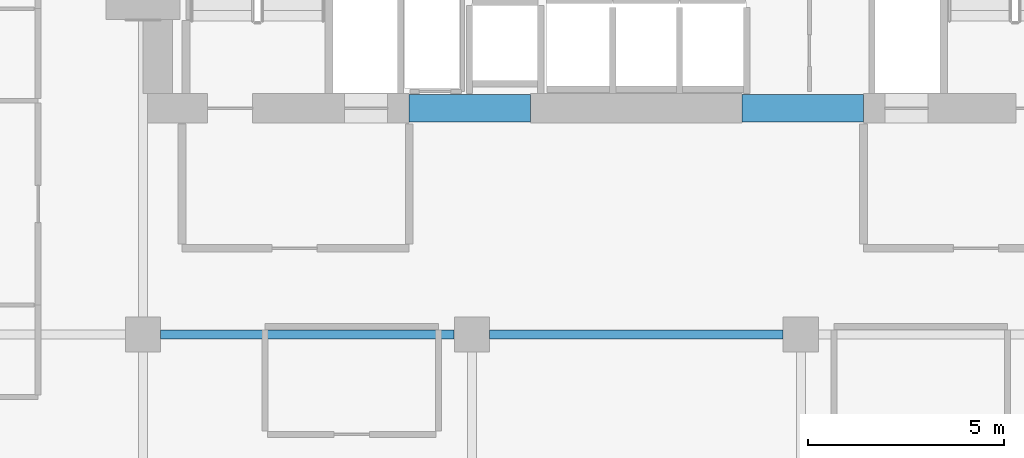
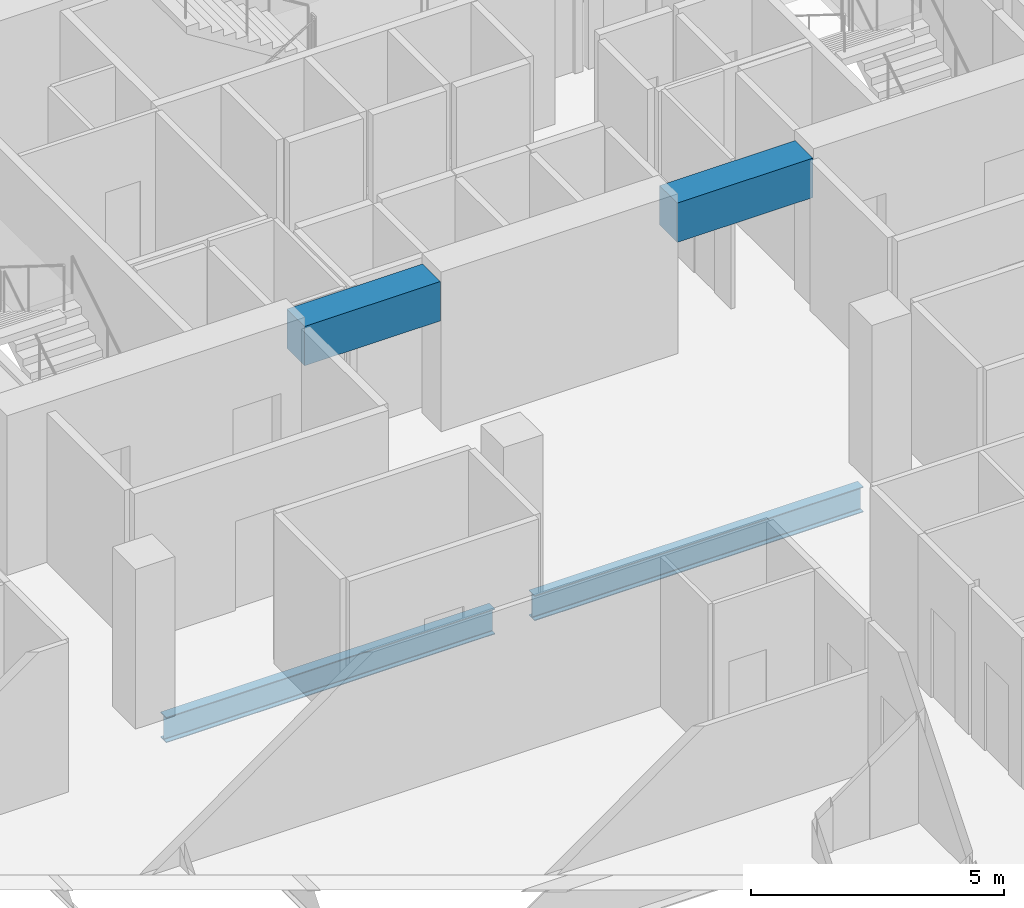
# One storey, part 21 of 34: 4 beams.
"""IFC4 building model written with IfcOpenShell, lengths in metres."""

import ifcopenshell
import ifcopenshell.guid

model = None  # the IFC model being written
_history = None  # IfcOwnerHistory: only IFC2X3 demands one
_inside = {}  # id of a spatial element -> (the spatial element, [elements in it])
_under = {}  # id of a project, library or spatial element -> (it, [spatial elements below it])
_declared = {}  # id of a project -> (the project, [libraries it declares])
_typed = {}  # id of a type object -> (the type object, [elements of that type])
_made_of = {}  # id of a material, layer set ... -> (it, [elements and type objects made of it])


def new_model(schema):
    """Start an empty IFC model of exactly this schema.

    Asked for "IFC4X3", IfcOpenShell would pick the latest addendum, in which some entities
    have other attributes; the version numbers below select the first issue.
    IFC2X3 requires an IfcOwnerHistory on every rooted entity: one is made here for all.
    """
    global model, _history
    if schema == "IFC4X3":
        model = ifcopenshell.file(schema_version=(4, 3, 0, 0))
    else:
        model = ifcopenshell.file(schema=schema)
    _inside.clear()
    _under.clear()
    _declared.clear()
    _typed.clear()
    _made_of.clear()
    _history = None
    if model.schema == "IFC2X3":
        org = make("IfcOrganization", Name="unknown")
        user = make(
            "IfcPersonAndOrganization",
            ThePerson=make("IfcPerson", FamilyName="unknown"),
            TheOrganization=org,
        )
        app = make(
            "IfcApplication",
            ApplicationDeveloper=org,
            Version="unknown",
            ApplicationFullName="unknown",
            ApplicationIdentifier="unknown",
        )
        _history = make(
            "IfcOwnerHistory",
            OwningUser=user,
            OwningApplication=app,
            ChangeAction="ADDED",
            CreationDate=0,
        )
    return model


def make(cls, **values):
    """One entity of the class cls with the attributes given. An attribute that is None is left unset."""
    return model.create_entity(
        cls, **{name: value for name, value in values.items() if value is not None}
    )


def rooted(cls, **values):
    """An entity with a GlobalId (a new one), such as an element, a storey or a relation."""
    return make(cls, GlobalId=ifcopenshell.guid.new(), OwnerHistory=_history, **values)


def si_unit(unit_type, name, prefix=None):
    """IfcSIUnit, for example si_unit("LENGTHUNIT", "METRE", prefix="MILLI")."""
    return make("IfcSIUnit", UnitType=unit_type, Prefix=prefix, Name=name)


def assignment(units):
    """IfcUnitAssignment: the units of a project."""
    return None if units is None else make("IfcUnitAssignment", Units=units)


def point(xyz):
    """IfcCartesianPoint."""
    return None if xyz is None else make("IfcCartesianPoint", Coordinates=xyz)


def direction(xyz):
    """IfcDirection."""
    return None if xyz is None else make("IfcDirection", DirectionRatios=xyz)


def frame(location, z_axis=None, x_axis=None):
    """IfcAxis2Placement3D, a coordinate frame: its origin and axes. An axis left out is left unset."""
    return make(
        "IfcAxis2Placement3D",
        Location=point(location),
        Axis=direction(z_axis),
        RefDirection=direction(x_axis),
    )


def frame_2d(location, x_axis=None):
    """IfcAxis2Placement2D, a coordinate frame in the plane: its origin and x axis."""
    return make(
        "IfcAxis2Placement2D", Location=point(location), RefDirection=direction(x_axis)
    )


def origin():
    """The frame at (0, 0, 0) with its axes left unset."""
    return frame((0.0, 0.0, 0.0))


def origin_2d():
    """The frame at (0, 0) in the plane with its x axis left unset."""
    return frame_2d((0.0, 0.0))


def place(relative_to, where):
    """IfcLocalPlacement: puts the frame where relative to a parent placement (None: the world)."""
    return make(
        "IfcLocalPlacement", PlacementRelTo=relative_to, RelativePlacement=where
    )


def context(
    kind, dimensions, precision=None, world=None, true_north=None, identifier=None
):
    """IfcGeometricRepresentationContext, for example the 3D "Model" context."""
    return make(
        "IfcGeometricRepresentationContext",
        ContextIdentifier=identifier,
        ContextType=kind,
        CoordinateSpaceDimension=dimensions,
        Precision=precision,
        WorldCoordinateSystem=world,
        TrueNorth=true_north,
    )


def subcontext(parent, identifier, kind, view, scale=None):
    """IfcGeometricRepresentationSubContext, for example "Body" below "Model"."""
    return make(
        "IfcGeometricRepresentationSubContext",
        ContextIdentifier=identifier,
        ContextType=kind,
        ParentContext=parent,
        TargetScale=scale,
        TargetView=view,
    )


def project(units=None, contexts=None):
    """IfcProject with its units and contexts."""
    return rooted(
        "IfcProject",
        Name="project",
        RepresentationContexts=contexts,
        UnitsInContext=assignment(units),
    )


def spatial(cls, under=None, at=None, **own):
    """A site, building, storey or space (cls), placed at a placement, below another one or the project."""
    s = rooted(cls, ObjectPlacement=at, **own)
    if under is not None:
        _under.setdefault(under.id(), (under, []))[1].append(s)
    return s


def profile(cls, at=None, kind="AREA", **sizes):
    """A parametric profile (cls). Its sizes go by their IFC names, for example OverallWidth=200.0."""
    return make(cls, ProfileType=kind, Position=at, **sizes)


def rectangle(**sizes):
    """IfcRectangleProfileDef."""
    return profile("IfcRectangleProfileDef", **sizes)


def i_section(**sizes):
    """IfcIShapeProfileDef."""
    return profile("IfcIShapeProfileDef", **sizes)


def extrude(swept, where, along, depth):
    """IfcExtrudedAreaSolid: the profile swept, set in the frame where, extruded along a direction by depth."""
    return make(
        "IfcExtrudedAreaSolid",
        SweptArea=swept,
        Position=where,
        ExtrudedDirection=direction(along),
        Depth=depth,
    )


def shape(context_of_items, identifier, shape_type, items):
    """IfcShapeRepresentation: the items that make up one representation, for example the "Body"."""
    return make(
        "IfcShapeRepresentation",
        ContextOfItems=context_of_items,
        RepresentationIdentifier=identifier,
        RepresentationType=shape_type,
        Items=items,
    )


def material(Name=None, Category=None):
    """IfcMaterial."""
    return make("IfcMaterial", Name=Name, Category=Category)


def material_profile(
    of_material, cross_section, Name=None, Category=None, Priority=None
):
    """IfcMaterialProfile: a cross section and its material."""
    return make(
        "IfcMaterialProfile",
        Name=Name,
        Material=of_material,
        Profile=cross_section,
        Priority=Priority,
        Category=Category,
    )


def profile_set(profiles, Name=None, composite=None):
    """IfcMaterialProfileSet."""
    return make(
        "IfcMaterialProfileSet",
        Name=Name,
        MaterialProfiles=profiles,
        CompositeProfile=composite,
    )


def made_of(thing, what):
    """Note that an element or type object is made of a material, layer set ...; save() writes the relation."""
    if what is not None:
        _made_of.setdefault(what.id(), (what, []))[1].append(thing)
    return thing


def type_object(cls, material=None, **own):
    """A type object (cls), such as IfcWallType, which elements share."""
    return made_of(rooted(cls, **own), material)


def element(
    cls,
    number,
    at=None,
    inside=None,
    cuts=None,
    type_object=None,
    material=None,
    context=None,
    identifier="Body",
    shape_type=None,
    held_by="IfcProductDefinitionShape",
    body=None,
    shapes=None,
    **own,
):
    """One element of the class cls, such as IfcWall. Its Tag is "e" and its number.

    at: its placement. inside: the storey or other place that contains it. cuts: it is an
    opening in that element (IfcRelVoidsElement). A single representation is given by context,
    identifier, shape_type and body (its items); several are given by shapes. held_by: the class
    of the entity that holds the representations. save() writes the other relations.
    """
    e = rooted(cls, Tag="e%d" % number, ObjectPlacement=at, **own)
    if body is not None:
        shapes = [shape(context, identifier, shape_type, body)]
    if shapes is not None:
        e.Representation = make(held_by, Representations=shapes)
    if inside is not None:
        _inside.setdefault(inside.id(), (inside, []))[1].append(e)
    if cuts is not None:
        rooted(
            "IfcRelVoidsElement", RelatingBuildingElement=cuts, RelatedOpeningElement=e
        )
    if type_object is not None:
        _typed.setdefault(type_object.id(), (type_object, []))[1].append(e)
    return made_of(e, material)


def aggregate(whole, parts):
    """IfcRelAggregates: a whole, such as a stair, and the parts it consists of."""
    return rooted("IfcRelAggregates", RelatingObject=whole, RelatedObjects=parts)


def save(model, path):
    """Write the relations noted so far, then the file.

    IfcRelAggregates (storeys below a building ...), IfcRelContainedInSpatialStructure (elements
    in a storey), IfcRelDefinesByType, IfcRelAssociatesMaterial and IfcRelDeclares: one each for
    every whole, place, type object, material and project.
    """
    for whole, parts in _under.values():
        aggregate(whole, parts)
    for where, things in _inside.values():
        rooted(
            "IfcRelContainedInSpatialStructure",
            RelatedElements=things,
            RelatingStructure=where,
        )
    for kind, things in _typed.values():
        rooted("IfcRelDefinesByType", RelatedObjects=things, RelatingType=kind)
    for what, things in _made_of.values():
        rooted("IfcRelAssociatesMaterial", RelatedObjects=things, RelatingMaterial=what)
    for by, libraries in _declared.values():
        rooted("IfcRelDeclares", RelatingContext=by, RelatedDefinitions=libraries)
    model.write(path)


model = new_model("IFC4")

# Units and contexts
model_context = context("Model", 3, precision=1e-05, world=origin(), true_north=direction((0.0, 1.0)))
body_context = subcontext(model_context, "Body", "Model", "MODEL_VIEW")
ifc_project = project(units=[si_unit("LENGTHUNIT", "METRE"), si_unit("AREAUNIT", "SQUARE_METRE"), si_unit("VOLUMEUNIT", "CUBIC_METRE"), si_unit("PLANEANGLEUNIT", "RADIAN"), si_unit("MASSUNIT", "GRAM", prefix="KILO")], contexts=[model_context])

# Site, building, storey
site_placement = place(None, origin())
site = spatial("IfcSite", under=ifc_project, at=site_placement, CompositionType="ELEMENT")
building_placement = place(site_placement, origin())
building = spatial("IfcBuilding", under=site, at=building_placement, Name="Maruvema Waterfront Hotel and Observation Tower", CompositionType="ELEMENT")
storey_placement = place(building_placement, frame((0.0, 0.0, 131.25)))
storey = spatial("IfcBuildingStorey", under=building, at=storey_placement, Name="L31", CompositionType="ELEMENT", Elevation=131.25)

# Beams
ifc_material_1 = material(Name="Concrete C60/75", Category="concrete")
ifc_material_profile_1 = material_profile(ifc_material_1, rectangle(XDim=0.699951171875, YDim=0.949951171875, at=origin_2d()), Name="CB700x950")
ifc_profile_set_1 = profile_set([ifc_material_profile_1], Name="Concrete C60/75")
beam_type_1 = type_object("IfcBeamType", Name="Core Coupling Lintel Beam CB700x950", PredefinedType="LINTEL", material=ifc_profile_set_1)
for number, where, z_axis, x_axis, name in (
    (1, (32.0, 41.77490234375, 3.135009765625), (1.0, 0.0, 0.0), (0.0, 1.0, 0.0), "L31 Core Coupling Lintel Beam West"),
    (2, (40.5, 41.77490234375, 3.135009765625), (1.0, 0.0, 0.0), (0.0, 1.0, 0.0), "L31 Core Coupling Lintel Beam East"),
):
    element("IfcBeam", number, at=place(storey_placement, frame(where, z_axis=z_axis, x_axis=x_axis)), inside=storey, type_object=beam_type_1, Name=name, PredefinedType="LINTEL", context=body_context, shape_type="SweptSolid", body=[
        extrude(rectangle(XDim=0.699951171875, YDim=0.949951171875, at=origin_2d()), origin(), (0.0, 0.0, 1.0), 3.10009765625),
    ])
ifc_material_2 = material(Name="Steel ASTM A572 Grade 50", Category="steel")
ifc_material_profile_2 = material_profile(ifc_material_2, i_section(OverallWidth=0.22900390625, OverallDepth=0.612060546875, WebThickness=0.011962890625, FlangeThickness=0.01953125, FilletRadius=0.01806640625, at=origin_2d()), Name="W610x125.0")
ifc_profile_set_2 = profile_set([ifc_material_profile_2], Name="Steel ASTM A572 Grade 50")
beam_type_2 = type_object("IfcBeamType", Name="Primary Floor Girder W610x125.0", PredefinedType="BEAM", material=ifc_profile_set_2)
for number, where, z_axis, x_axis, name in (
    (3, (25.64990234375, 36.0, -0.5458984375), (1.0, 0.0, 0.0), (0.0, 1.0, 0.0), "L31 Floor Girder EW-25"),
    (4, (34.050048828125, 36.0, -0.5458984375), (1.0, 0.0, 0.0), (0.0, 1.0, 0.0), "L31 Floor Girder EW-26"),
):
    element("IfcBeam", number, at=place(storey_placement, frame(where, z_axis=z_axis, x_axis=x_axis)), inside=storey, type_object=beam_type_2, Name=name, PredefinedType="BEAM", context=body_context, shape_type="SweptSolid", body=[
        extrude(i_section(OverallWidth=0.22900390625, OverallDepth=0.612060546875, WebThickness=0.011962890625, FlangeThickness=0.01953125, FilletRadius=0.01806640625, at=origin_2d()), origin(), (0.0, 0.0, 1.0), 7.5),
    ])

save(model, "model.ifc")
